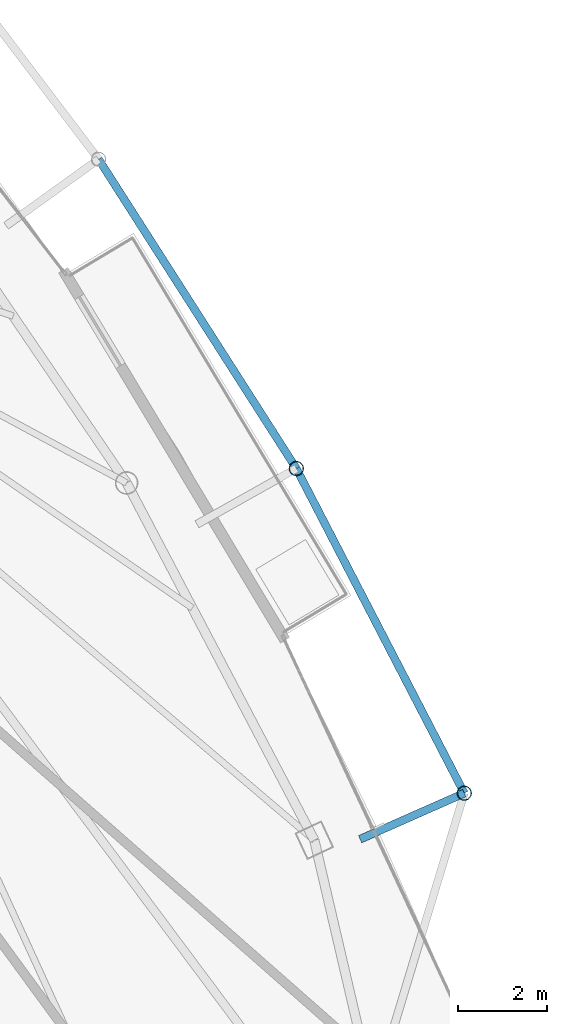
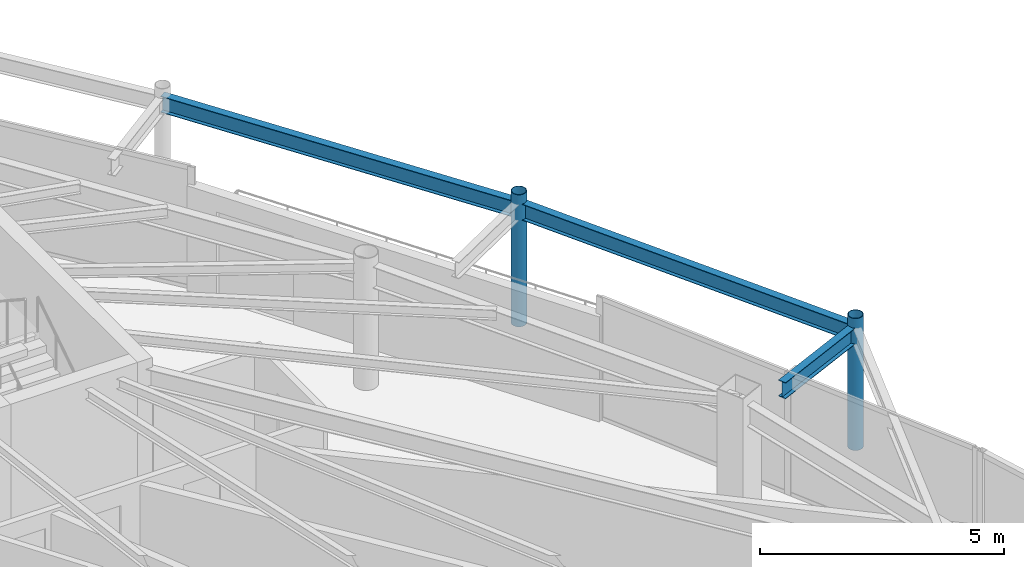
# One storey, part 18 of 28: 3 beams, 2 members.
"""IFC4 building model written with IfcOpenShell, lengths in metres."""

from ifc_helpers import new_model, si_unit, direction, frame, origin, origin_2d, place, context, subcontext, project, spatial, hollow_circle, i_section, extrude, material, material_profile, profile_set, type_object, element, save


model = new_model("IFC4")

# Units and contexts
model_context = context("Model", 3, precision=1e-05, world=origin(), true_north=direction((0.0, 1.0)))
body_context = subcontext(model_context, "Body", "Model", "MODEL_VIEW")
ifc_project = project(units=[si_unit("LENGTHUNIT", "METRE"), si_unit("AREAUNIT", "SQUARE_METRE"), si_unit("VOLUMEUNIT", "CUBIC_METRE"), si_unit("PLANEANGLEUNIT", "RADIAN"), si_unit("MASSUNIT", "GRAM", prefix="KILO")], contexts=[model_context])

# Site, building, storey
site_placement = place(None, origin())
site = spatial("IfcSite", under=ifc_project, at=site_placement, CompositionType="ELEMENT")
building_placement = place(site_placement, origin())
building = spatial("IfcBuilding", under=site, at=building_placement, Name="Orvanel Arch Residences", CompositionType="ELEMENT")
storey_placement = place(building_placement, frame((0.0, 0.0, 260.14990234375)))
storey = spatial("IfcBuildingStorey", under=building, at=storey_placement, Name="L74", CompositionType="ELEMENT", Elevation=260.14990234375)

# Beams
ifc_material_1 = material(Name="Structural steel AS/NZS 3679.1 Grade 300 (300 MPa)", Category="steel")
ifc_material_profile_1 = material_profile(ifc_material_1, i_section(OverallWidth=0.177978515625, OverallDepth=0.406005859375, WebThickness=0.0078125, FlangeThickness=0.0126953125, at=origin_2d()), Name="410UB59.7")
ifc_profile_set_1 = profile_set([ifc_material_profile_1], Name="Structural steel AS/NZS 3679.1 Grade 300 (300 MPa)")
beam_type = type_object("IfcBeamType", Name="OB-410UB-EXT", PredefinedType="SPANDREL", material=ifc_profile_set_1)
beam_1_placement = place(storey_placement, frame((50.658935546875, 19.6640625, 2.857177734375), z_axis=(0.914603442597, 0.404352003569, 0.0), x_axis=(-0.404352003569, 0.914603442597, 0.0)))
element("IfcBeam", 1, at=beam_1_placement, inside=storey, type_object=beam_type, Name="L74 Outer Frame Radial Tie Beam 09", PredefinedType="SPANDREL", context=body_context, shape_type="SweptSolid", body=[
    extrude(i_section(OverallWidth=0.177978515625, OverallDepth=0.406005859375, WebThickness=0.0078125, FlangeThickness=0.0126953125, at=origin_2d()), origin(), (0.0, 0.0, 1.0), 2.5498046875),
])
beam_2_placement = place(storey_placement, frame((52.990966796875, 20.695068359375, 2.857177734375), z_axis=(-0.459532469587, 0.88816097043, 0.0), x_axis=(-0.88816097043, -0.459532469587, 0.0)))
element("IfcBeam", 2, at=beam_2_placement, inside=storey, type_object=beam_type, Name="L74 Outer Perimeter Floor Ring Beam 09", PredefinedType="SPANDREL", context=body_context, shape_type="SweptSolid", body=[
    extrude(i_section(OverallWidth=0.177978515625, OverallDepth=0.406005859375, WebThickness=0.0078125, FlangeThickness=0.0126953125, at=origin_2d()), origin(), (0.0, 0.0, 1.0), 8.184326171875),
])
beam_3_placement = place(storey_placement, frame((49.22998046875, 27.964111328125, 2.857177734375), z_axis=(-0.538686937539, 0.842506013821, 0.0), x_axis=(-0.842506013821, -0.538686937539, 0.0)))
element("IfcBeam", 3, at=beam_3_placement, inside=storey, type_object=beam_type, Name="L74 Outer Perimeter Floor Ring Beam 10", PredefinedType="SPANDREL", context=body_context, shape_type="SweptSolid", body=[
    extrude(i_section(OverallWidth=0.177978515625, OverallDepth=0.406005859375, WebThickness=0.0078125, FlangeThickness=0.0126953125, at=origin_2d()), origin(), (0.0, 0.0, 1.0), 8.218017578125),
])

# Members
ifc_material_2 = material(Name="Structural steel AS/NZS 1163 C350L0 (Grade 350)", Category="steel")
ifc_material_profile_2 = material_profile(ifc_material_2, hollow_circle(Radius=0.162109375, WallThickness=0.0126953125, at=origin_2d()), Name="CHS324x12.7")
ifc_profile_set_2 = profile_set([ifc_material_profile_2], Name="Structural steel AS/NZS 1163 C350L0 (Grade 350)")
member_type = type_object("IfcMemberType", Name="ST-324CHS-EXT", PredefinedType="STRUT", material=ifc_profile_set_2)
for number, where, z_axis, x_axis, name in (
    (4, (52.990966796875, 20.695068359375, 0.0), (0.0, 0.0, 1.0), (1.0, 0.0, 0.0), "L74 Outer Perimeter Frame Post 09"),
    (5, (49.22998046875, 27.964111328125, 0.0), (0.0, 0.0, 1.0), (1.0, 0.0, 0.0), "L74 Outer Perimeter Frame Post 10"),
):
    element("IfcMember", number, at=place(storey_placement, frame(where, z_axis=z_axis, x_axis=x_axis)), inside=storey, type_object=member_type, Name=name, PredefinedType="STRUT", context=body_context, shape_type="SweptSolid", body=[
        extrude(hollow_circle(Radius=0.162109375, WallThickness=0.0126953125, at=origin_2d()), origin(), (0.0, 0.0, 1.0), 3.300048828125),
    ])

save(model, "model.ifc")
